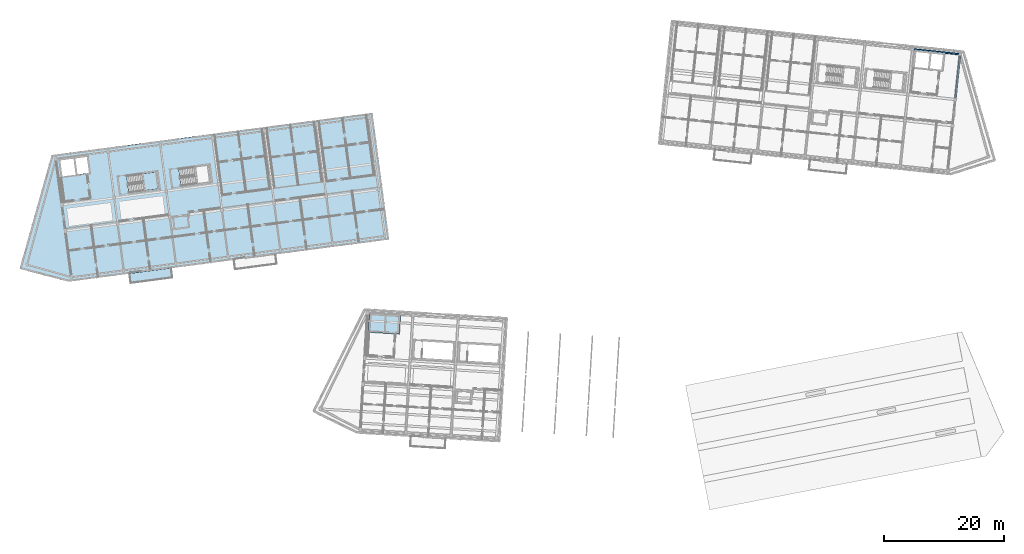
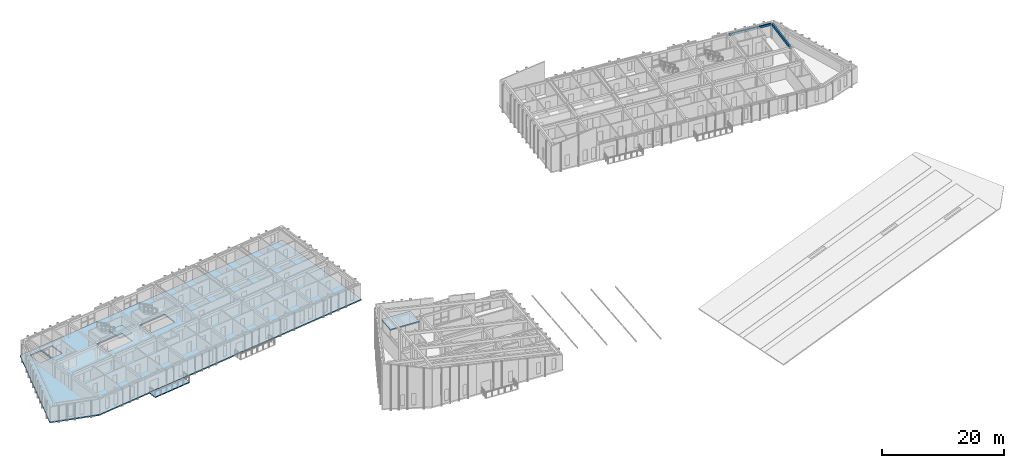
# One storey, part 14 of 45: 4 slabs, 2 beams, 1 element without a shape of its own.
"""IFC4 building model written with IfcOpenShell, lengths in metres."""

from ifc_helpers import new_model, si_unit, direction, frame, origin, origin_2d, place, context, subcontext, project, spatial, polyline, rectangle, outline, extrude, material, layer, layer_set, material_profile, profile_set, type_object, element, aggregate, save


model = new_model("IFC4")

# Units and contexts
model_context = context("Model", 3, precision=1e-05, world=origin(), true_north=direction((0.0, 1.0)))
body_context = subcontext(model_context, "Body", "Model", "MODEL_VIEW")
ifc_project = project(units=[si_unit("LENGTHUNIT", "METRE"), si_unit("AREAUNIT", "SQUARE_METRE"), si_unit("VOLUMEUNIT", "CUBIC_METRE"), si_unit("PLANEANGLEUNIT", "RADIAN"), si_unit("MASSUNIT", "GRAM", prefix="KILO")], contexts=[model_context])

# Site, building, storey
site_placement = place(None, origin())
site = spatial("IfcSite", under=ifc_project, at=site_placement, CompositionType="ELEMENT")
building_placement = place(site_placement, origin())
building = spatial("IfcBuilding", under=site, at=building_placement, Name="Kestramere Prow Commons", CompositionType="ELEMENT")
storey_placement = place(building_placement, frame((0.0, 0.0, 31.14990234375)))
storey = spatial("IfcBuildingStorey", under=building, at=storey_placement, Name="L09", CompositionType="ELEMENT", Elevation=31.14990234375)

# Beams
ifc_material_1 = material(Name="Precast concrete C40/50", Category="concrete")
ifc_material_profile_1 = material_profile(ifc_material_1, rectangle(XDim=0.300048828125, YDim=0.5, at=origin_2d()), Name="PC-BM 300x500")
ifc_profile_set_1 = profile_set([ifc_material_profile_1], Name="Precast concrete C40/50")
beam_type_1 = type_object("IfcBeamType", Name="BM-TIE-01 PC-BM 300x500", PredefinedType="BEAM", material=ifc_profile_set_1)
beam_1_placement = place(storey_placement, frame((159.014892578125, 101.940673828125, 2.75), z_axis=(0.104519481265, 0.994522839374, 0.0), x_axis=(-0.994522839374, 0.104519481265, 0.0)))
element("IfcBeam", 1, at=beam_1_placement, inside=storey, type_object=beam_type_1, Name="Block B L09 Transverse Beam 7-3", PredefinedType="BEAM", context=body_context, shape_type="SweptSolid", body=[
    extrude(rectangle(XDim=0.300048828125, YDim=0.5, at=origin_2d()), origin(), (0.0, 0.0, 1.0), 7.14990234375),
])
ifc_material_profile_2 = material_profile(ifc_material_1, rectangle(XDim=0.25, YDim=0.39990234375, at=origin_2d()), Name="PC-SP 250x400")
ifc_profile_set_2 = profile_set([ifc_material_profile_2], Name="Precast concrete C40/50")
beam_type_2 = type_object("IfcBeamType", Name="SP-EXT-01 PC-SP 250x400", PredefinedType="SPANDREL", material=ifc_profile_set_2)
beam_2_placement = place(storey_placement, frame((152.053466796875, 110.087890625, 2.800048828125), z_axis=(0.994523511366, -0.104513086937, 0.0), x_axis=(0.104513086937, 0.994523511366, 0.0)))
element("IfcBeam", 2, at=beam_2_placement, inside=storey, type_object=beam_type_2, Name="Block B L09 Longitudinal Beam 4-6", PredefinedType="SPANDREL", context=body_context, shape_type="SweptSolid", body=[
    extrude(rectangle(XDim=0.25, YDim=0.39990234375, at=origin_2d()), origin(), (0.0, 0.0, 1.0), 7.5498046875),
])

# Slabs
ifc_layer_1 = layer(ifc_material_1, 0.179931640625)
ifc_layer_set_1 = layer_set([ifc_layer_1], Name="Precast concrete C40/50")
slab_type_1 = type_object("IfcSlabType", Name="SL-BALC-180", PredefinedType="FLOOR", material=ifc_layer_set_1)
slab_1_placement = place(storey_placement, frame((0.0, 0.0, -0.179931640625)))
element("IfcSlab", 3, at=slab_1_placement, inside=storey, type_object=slab_type_1, Name="Block A L09 Apartment Balcony Slab 2", PredefinedType="FLOOR", context=body_context, shape_type="SweptSolid", body=[
    extrude(outline(polyline([(21.067626953125, 70.979248046875), (28.10693359375, 71.906005859375), (27.8916015625, 73.5419921875), (20.852294921875, 72.615234375), (21.067626953125, 70.979248046875)])), origin(), (0.0, 0.0, 1.0), 0.179931640625),
])
ifc_layer_2 = layer(ifc_material_1, 0.25)
ifc_layer_set_2 = layer_set([ifc_layer_2], Name="Precast concrete C40/50")
slab_type_2 = type_object("IfcSlabType", Name="SL-HC-250", PredefinedType="FLOOR", material=ifc_layer_set_2)
slab_2_placement = place(storey_placement, frame((0.0, 0.0, -0.25)))
element("IfcSlab", 4, at=slab_2_placement, inside=storey, type_object=slab_type_2, Name="Block A L09 Hollowcore Floor Slab", PredefinedType="FLOOR", context=body_context, shape_type="SweptSolid", body=[
    extrude(outline(polyline([(2.58203125, 73.48779296875), (10.640380859375, 71.270751953125), (64.277587890625, 78.332275390625), (61.497314453125, 99.449951171875), (7.860107421875, 92.388427734375), (2.58203125, 73.48779296875)]), holes=[polyline([(9.638427734375, 88.84033203125), (11.9189453125, 89.140380859375), (11.559814453125, 91.866943359375), (9.279541015625, 91.566650390625), (9.638427734375, 88.84033203125)]), polyline([(12.166748046875, 89.173095703125), (14.149658203125, 89.43408203125), (13.790771484375, 92.16064453125), (11.807861328125, 91.899658203125), (12.166748046875, 89.173095703125)]), polyline([(20.78857421875, 86.122314453125), (25.844970703125, 86.7880859375), (25.47314453125, 89.61376953125), (20.416748046875, 88.947998046875), (20.78857421875, 86.122314453125)]), polyline([(29.513427734375, 87.27099609375), (34.56982421875, 87.936767578125), (34.19775390625, 90.76220703125), (29.141357421875, 90.0966796875), (29.513427734375, 87.27099609375)])]), origin(), (0.0, 0.0, 1.0), 0.25),
])
slab_3_placement = place(storey_placement, frame((0.0, 0.0, 4.35009765625)))
element("IfcSlab", 5, at=slab_3_placement, inside=storey, type_object=slab_type_2, Name="Block C Internal Lift Shaft Cap Slab", PredefinedType="FLOOR", context=body_context, shape_type="SweptSolid", body=[
    extrude(outline(polyline([(60.77099609375, 62.77783203125), (66.061279296875, 62.4541015625), (66.2626953125, 65.748046875), (60.97265625, 66.071533203125), (60.77099609375, 62.77783203125)])), origin(), (0.0, 0.0, 1.0), 0.219970703125),
])

# Stair, slab
ifc_material_2 = material(Name="Concrete C40/50", Category="concrete")
stair_type = type_object("IfcStairType", Name="ST-DOG-1350", PredefinedType="HALF_TURN_STAIR", material=ifc_material_2)
stair_placement = place(storey_placement, origin())
stair = element("IfcStair", 6, at=stair_placement, inside=storey, type_object=stair_type, Name="L09 Block A Exit Stair 1", PredefinedType="HALF_TURN_STAIR")
ifc_layer_3 = layer(ifc_material_2, 0.199951171875)
ifc_layer_set_3 = layer_set([ifc_layer_3], Name="Concrete C40/50")
slab_type_3 = type_object("IfcSlabType", Name="SL-ST-LAND-200", PredefinedType="LANDING", material=ifc_layer_set_3)
slab_4_placement = place(storey_placement, frame((0.0, 0.0, 1.425048828125)))
slab_4 = element("IfcSlab", 7, at=slab_4_placement, type_object=slab_type_3, Name="ST-A1 landing 1", PredefinedType="LANDING", context=body_context, shape_type="SweptSolid", body=[
    extrude(outline(polyline([(23.287109375, 86.451416015625), (25.844970703125, 86.7880859375), (25.47314453125, 89.61376953125), (22.9150390625, 89.27685546875), (23.287109375, 86.451416015625)])), origin(), (0.0, 0.0, 1.0), 0.199951171875),
])
aggregate(stair, [slab_4])

save(model, "model.ifc")
